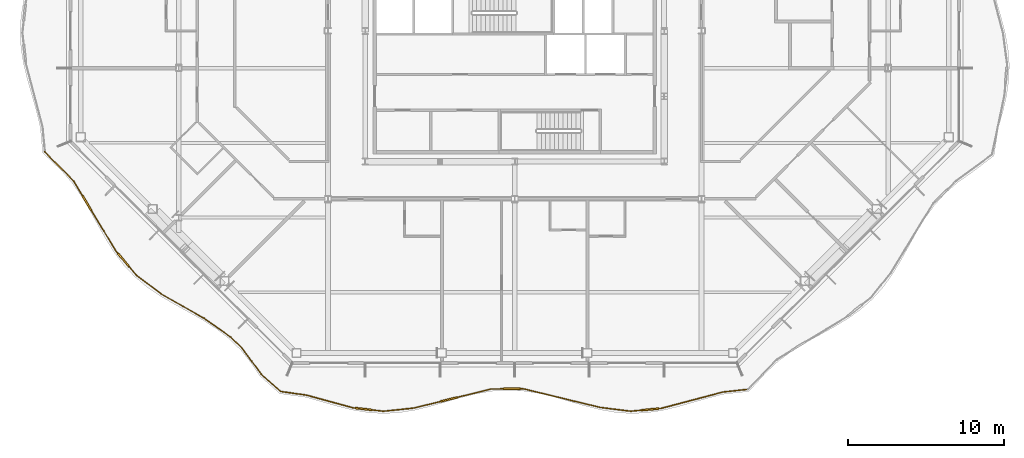
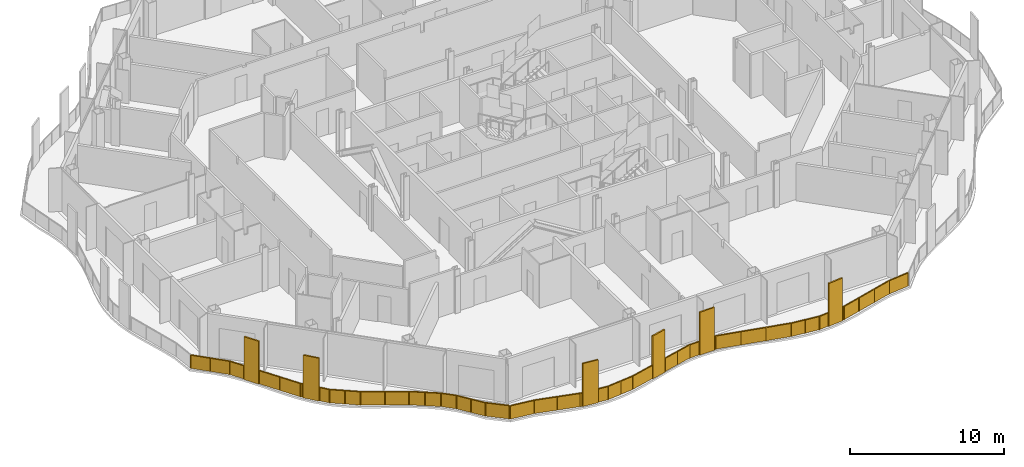
# One storey, part 15 of 21: 2 railings.
"""IFC4 building model written with IfcOpenShell, lengths in metres."""

from ifc_helpers import new_model, si_unit, direction, frame, origin, origin_2d, place, context, subcontext, project, spatial, polyline, rectangle, outline, extrude, material, type_object, element, save


model = new_model("IFC4")

# Units and contexts
model_context = context("Model", 3, precision=1e-05, world=origin(), true_north=direction((0.0, 1.0)))
body_context = subcontext(model_context, "Body", "Model", "MODEL_VIEW")
ifc_project = project(units=[si_unit("LENGTHUNIT", "METRE"), si_unit("AREAUNIT", "SQUARE_METRE"), si_unit("VOLUMEUNIT", "CUBIC_METRE"), si_unit("PLANEANGLEUNIT", "RADIAN"), si_unit("MASSUNIT", "GRAM", prefix="KILO")], contexts=[model_context])

# Site, building, storey
site_placement = place(None, origin())
site = spatial("IfcSite", under=ifc_project, at=site_placement, CompositionType="ELEMENT")
building_placement = place(site_placement, origin())
building = spatial("IfcBuilding", under=site, at=building_placement, Name="Cairn Pilgrim Tower", CompositionType="ELEMENT")
storey_placement = place(building_placement, frame((0.0, 0.0, 157.800048828125)))
storey = spatial("IfcBuildingStorey", under=building, at=storey_placement, Name="L39", CompositionType="ELEMENT", Elevation=157.800048828125)

# Railings
ifc_material = material(Name="Bronze anodised aluminium rail, posts and fin screens with laminated glass infill", Category="aluminium")
railing_type = type_object("IfcRailingType", Name="BALCONY GUARD WITH FIN SCREENS", PredefinedType="GUARDRAIL", material=ifc_material)
railing_1_placement = place(storey_placement, frame((-7.846435546875, -20.777587890625, 0.0)))
element("IfcRailing", 1, at=railing_1_placement, inside=storey, type_object=railing_type, Name="Balcony guard BGF-1 with fin screens", PredefinedType="GUARDRAIL", context=body_context, shape_type="SweptSolid", body=[
    extrude(rectangle(XDim=0.050048828125, YDim=0.050048828125, at=origin_2d()), frame((0.0, 0.0, 1.0751953125), z_axis=(0.990133932215, -0.140124217308, 0.0), x_axis=(0.140124217308, 0.990133932215, 0.0)), (0.0, 0.0, 1.0), 1.6865234375),
    extrude(rectangle(XDim=0.050048828125, YDim=0.050048828125, at=origin_2d()), frame((1.669921875, -0.236328125, 1.0751953125), z_axis=(0.964681627046, -0.263418599267, 0.0), x_axis=(0.263418599267, 0.964681627046, 0.0)), (0.0, 0.0, 1.0), 3.086181640625),
    extrude(rectangle(XDim=1.10009765625, YDim=0.110107421875, at=origin_2d()), frame((5.3427734375, -1.128173828125, 0.0), z_axis=(0.0, 0.0, 1.0), x_axis=(0.993627342822, -0.112715143601, 0.0)), (0.0, 0.0, 1.0), 3.39990234375),
    extrude(rectangle(XDim=0.050048828125, YDim=0.050048828125, at=origin_2d()), frame((4.647216796875, -1.04931640625, 1.0751953125), z_axis=(0.993627342822, -0.112715143601, 0.0), x_axis=(0.112715143601, 0.993627342822, 0.0)), (0.0, 0.0, 1.0), 0.14990234375),
    extrude(rectangle(XDim=0.050048828125, YDim=0.050048828125, at=origin_2d()), frame((5.88916015625, -1.190185546875, 1.0751953125), z_axis=(0.993627342822, -0.112715143601, 0.0), x_axis=(0.112715143601, 0.993627342822, 0.0)), (0.0, 0.0, 1.0), 0.72119140625),
    extrude(rectangle(XDim=0.050048828125, YDim=0.050048828125, at=origin_2d()), frame((6.605712890625, -1.271484375, 1.0751953125), z_axis=(0.994543405895, 0.104323601316, 0.0), x_axis=(-0.104323601316, 0.994543405895, 0.0)), (0.0, 0.0, 1.0), 1.970458984375),
    extrude(rectangle(XDim=1.10009765625, YDim=0.110107421875, at=origin_2d()), frame((10.822509765625, -0.509521484375, 0.0), z_axis=(0.0, 0.0, 1.0), x_axis=(0.970941979556, 0.239315006499, 0.0)), (0.0, 0.0, 1.0), 3.39990234375),
    extrude(rectangle(XDim=0.050048828125, YDim=0.050048828125, at=origin_2d()), frame((8.5654296875, -1.06591796875, 1.0751953125), z_axis=(0.970941979556, 0.239315006499, 0.0), x_axis=(-0.239315006499, 0.970941979556, 0.0)), (0.0, 0.0, 1.0), 1.774658203125),
    extrude(rectangle(XDim=0.050048828125, YDim=0.050048828125, at=origin_2d()), frame((11.3564453125, -0.3779296875, 1.0751953125), z_axis=(0.970941979556, 0.239315006499, 0.0), x_axis=(-0.239315006499, 0.970941979556, 0.0)), (0.0, 0.0, 1.0), 2.24658203125),
    extrude(rectangle(XDim=1.10009765625, YDim=0.110107421875, at=origin_2d()), frame((14.860107421875, 0.174072265625, 0.0), z_axis=(0.0, 0.0, 1.0), x_axis=(0.999939655436, 0.010985694633, 0.0)), (0.0, 0.0, 1.0), 3.39990234375),
    extrude(rectangle(XDim=0.050048828125, YDim=0.050048828125, at=origin_2d()), frame((13.537841796875, 0.15966796875, 1.0751953125), z_axis=(0.999939655436, 0.010985694633, 0.0), x_axis=(-0.010985694633, 0.999939655436, 0.0)), (0.0, 0.0, 1.0), 0.772216796875),
    extrude(rectangle(XDim=0.050048828125, YDim=0.050048828125, at=origin_2d()), frame((15.409912109375, 0.18017578125, 1.0751953125), z_axis=(0.999939655436, 0.010985694633, 0.0), x_axis=(-0.010985694633, 0.999939655436, 0.0)), (0.0, 0.0, 1.0), 0.150146484375),
    extrude(rectangle(XDim=0.050048828125, YDim=0.050048828125, at=origin_2d()), frame((15.56005859375, 0.181884765625, 1.0751953125), z_axis=(0.971802111938, -0.235797911851, 0.0), x_axis=(0.235797911851, 0.971802111938, 0.0)), (0.0, 0.0, 1.0), 5.119873046875),
    extrude(rectangle(XDim=0.050048828125, YDim=0.050048828125, at=origin_2d()), frame((20.53564453125, -1.025390625, 1.0751953125), z_axis=(0.992296866944, -0.123882718141, 0.0), x_axis=(0.123882718141, 0.992296866944, 0.0)), (0.0, 0.0, 1.0), 1.9765625),
    extrude(rectangle(XDim=1.10009765625, YDim=0.110107421875, at=origin_2d()), frame((23.757568359375, -1.15283203125, 0.0), z_axis=(0.0, 0.0, 1.0), x_axis=(0.995688155387, 0.092763663267, 0.0)), (0.0, 0.0, 1.0), 3.39990234375),
    extrude(rectangle(XDim=0.050048828125, YDim=0.050048828125, at=origin_2d()), frame((22.4970703125, -1.270263671875, 1.0751953125), z_axis=(0.995688155387, 0.092763663267, 0.0), x_axis=(-0.092763663267, 0.995688155387, 0.0)), (0.0, 0.0, 1.0), 0.7158203125),
    extrude(rectangle(XDim=0.050048828125, YDim=0.050048828125, at=origin_2d()), frame((24.30517578125, -1.101806640625, 1.0751953125), z_axis=(0.995688155387, 0.092763663267, 0.0), x_axis=(-0.092763663267, 0.995688155387, 0.0)), (0.0, 0.0, 1.0), 0.150146484375),
    extrude(rectangle(XDim=0.050048828125, YDim=0.050048828125, at=origin_2d()), frame((24.45458984375, -1.087890625, 1.0751953125), z_axis=(0.96665678413, 0.256075499989, 0.0), x_axis=(-0.256075499989, 0.96665678413, 0.0)), (0.0, 0.0, 1.0), 4.108154296875),
    extrude(rectangle(XDim=0.050048828125, YDim=0.050048828125, at=origin_2d()), frame((28.42578125, -0.035888671875, 1.0751953125), z_axis=(0.994116936595, 0.108312124783, 0.0), x_axis=(-0.108312124783, 0.994116936595, 0.0)), (0.0, 0.0, 1.0), 1.55517578125),
    extrude(rectangle(XDim=0.050048828125, YDim=0.050048828125, at=origin_2d()), origin(), (0.0, 0.0, 1.0), 1.050048828125),
    extrude(rectangle(XDim=0.050048828125, YDim=0.050048828125, at=origin_2d()), frame((1.669921875, -0.236328125, 0.0)), (0.0, 0.0, 1.0), 1.050048828125),
    extrude(rectangle(XDim=0.050048828125, YDim=0.050048828125, at=origin_2d()), frame((3.15869140625, -0.642822265625, 0.0)), (0.0, 0.0, 1.0), 1.050048828125),
    extrude(rectangle(XDim=0.050048828125, YDim=0.050048828125, at=origin_2d()), frame((4.647216796875, -1.04931640625, 0.0)), (0.0, 0.0, 1.0), 1.050048828125),
    extrude(rectangle(XDim=0.050048828125, YDim=0.050048828125, at=origin_2d()), frame((4.771240234375, -1.0634765625, 0.0)), (0.0, 0.0, 1.0), 1.050048828125),
    extrude(rectangle(XDim=0.050048828125, YDim=0.050048828125, at=origin_2d()), frame((5.9140625, -1.193115234375, 0.0)), (0.0, 0.0, 1.0), 1.050048828125),
    extrude(rectangle(XDim=0.050048828125, YDim=0.050048828125, at=origin_2d()), frame((6.605712890625, -1.271484375, 0.0)), (0.0, 0.0, 1.0), 1.050048828125),
    extrude(rectangle(XDim=0.050048828125, YDim=0.050048828125, at=origin_2d()), frame((7.58544921875, -1.168701171875, 0.0)), (0.0, 0.0, 1.0), 1.050048828125),
    extrude(rectangle(XDim=0.050048828125, YDim=0.050048828125, at=origin_2d()), frame((8.5654296875, -1.06591796875, 0.0)), (0.0, 0.0, 1.0), 1.050048828125),
    extrude(rectangle(XDim=0.050048828125, YDim=0.050048828125, at=origin_2d()), frame((10.26416015625, -0.647216796875, 0.0)), (0.0, 0.0, 1.0), 1.050048828125),
    extrude(rectangle(XDim=0.050048828125, YDim=0.050048828125, at=origin_2d()), frame((11.380859375, -0.3720703125, 0.0)), (0.0, 0.0, 1.0), 1.050048828125),
    extrude(rectangle(XDim=0.050048828125, YDim=0.050048828125, at=origin_2d()), frame((12.459228515625, -0.106201171875, 0.0)), (0.0, 0.0, 1.0), 1.050048828125),
    extrude(rectangle(XDim=0.050048828125, YDim=0.050048828125, at=origin_2d()), frame((13.537841796875, 0.15966796875, 0.0)), (0.0, 0.0, 1.0), 1.050048828125),
    extrude(rectangle(XDim=0.050048828125, YDim=0.050048828125, at=origin_2d()), frame((14.28515625, 0.16796875, 0.0)), (0.0, 0.0, 1.0), 1.050048828125),
    extrude(rectangle(XDim=0.050048828125, YDim=0.050048828125, at=origin_2d()), frame((15.43505859375, 0.180419921875, 0.0)), (0.0, 0.0, 1.0), 1.050048828125),
    extrude(rectangle(XDim=0.050048828125, YDim=0.050048828125, at=origin_2d()), frame((15.56005859375, 0.181884765625, 0.0)), (0.0, 0.0, 1.0), 1.050048828125),
    extrude(rectangle(XDim=0.050048828125, YDim=0.050048828125, at=origin_2d()), frame((17.218505859375, -0.220458984375, 0.0)), (0.0, 0.0, 1.0), 1.050048828125),
    extrude(rectangle(XDim=0.050048828125, YDim=0.050048828125, at=origin_2d()), frame((18.877197265625, -0.623046875, 0.0)), (0.0, 0.0, 1.0), 1.050048828125),
    extrude(rectangle(XDim=0.050048828125, YDim=0.050048828125, at=origin_2d()), frame((20.53564453125, -1.025390625, 0.0)), (0.0, 0.0, 1.0), 1.050048828125),
    extrude(rectangle(XDim=0.050048828125, YDim=0.050048828125, at=origin_2d()), frame((21.516357421875, -1.14794921875, 0.0)), (0.0, 0.0, 1.0), 1.050048828125),
    extrude(rectangle(XDim=0.050048828125, YDim=0.050048828125, at=origin_2d()), frame((22.4970703125, -1.270263671875, 0.0)), (0.0, 0.0, 1.0), 1.050048828125),
    extrude(rectangle(XDim=0.050048828125, YDim=0.050048828125, at=origin_2d()), frame((23.18505859375, -1.2060546875, 0.0)), (0.0, 0.0, 1.0), 1.050048828125),
    extrude(rectangle(XDim=0.050048828125, YDim=0.050048828125, at=origin_2d()), frame((24.330078125, -1.099609375, 0.0)), (0.0, 0.0, 1.0), 1.050048828125),
    extrude(rectangle(XDim=0.050048828125, YDim=0.050048828125, at=origin_2d()), frame((24.45458984375, -1.087890625, 0.0)), (0.0, 0.0, 1.0), 1.050048828125),
    extrude(rectangle(XDim=0.050048828125, YDim=0.050048828125, at=origin_2d()), frame((25.7783203125, -0.7373046875, 0.0)), (0.0, 0.0, 1.0), 1.050048828125),
    extrude(rectangle(XDim=0.050048828125, YDim=0.050048828125, at=origin_2d()), frame((27.10205078125, -0.386474609375, 0.0)), (0.0, 0.0, 1.0), 1.050048828125),
    extrude(rectangle(XDim=0.050048828125, YDim=0.050048828125, at=origin_2d()), frame((28.42578125, -0.035888671875, 0.0)), (0.0, 0.0, 1.0), 1.050048828125),
    extrude(rectangle(XDim=0.050048828125, YDim=0.050048828125, at=origin_2d()), frame((29.971923828125, 0.132568359375, 0.0)), (0.0, 0.0, 1.0), 1.050048828125),
    extrude(outline(polyline([(0.02490234375, 0.0), (1.66162109375, 0.0), (1.66162109375, 1.050048828125), (0.02490234375, 1.050048828125), (0.02490234375, 0.0)])), frame((0.000732421875, 0.005859375, 0.0), z_axis=(-0.140124217308, -0.990133932215, 0.0), x_axis=(0.990133932215, -0.140124217308, 0.0)), (0.0, 0.0, 1.0), 0.011962890625),
    extrude(outline(polyline([(0.02490234375, 0.0), (1.51806640625, 0.0), (1.51806640625, 1.050048828125), (0.02490234375, 1.050048828125), (0.02490234375, 0.0)])), frame((1.67138671875, -0.23046875, 0.0), z_axis=(-0.263418599267, -0.964681627046, 0.0), x_axis=(0.964681627046, -0.263418599267, 0.0)), (0.0, 0.0, 1.0), 0.011962890625),
    extrude(outline(polyline([(0.02490234375, 0.0), (1.51806640625, 0.0), (1.51806640625, 1.050048828125), (0.02490234375, 1.050048828125), (0.02490234375, 0.0)])), frame((3.16015625, -0.636962890625, 0.0), z_axis=(-0.263418599267, -0.964681627046, 0.0), x_axis=(0.964681627046, -0.263418599267, 0.0)), (0.0, 0.0, 1.0), 0.011962890625),
    extrude(outline(polyline([(0.02490234375, 0.0), (0.099853515625, 0.0), (0.099853515625, 1.050048828125), (0.02490234375, 1.050048828125), (0.02490234375, 0.0)])), frame((4.64794921875, -1.04345703125, 0.0), z_axis=(-0.112715143601, -0.993627342822, 0.0), x_axis=(0.993627342822, -0.112715143601, 0.0)), (0.0, 0.0, 1.0), 0.011962890625),
    extrude(outline(polyline([(0.02490234375, 0.0), (0.671142578125, 0.0), (0.671142578125, 1.050048828125), (0.02490234375, 1.050048828125), (0.02490234375, 0.0)])), frame((5.914794921875, -1.18701171875, 0.0), z_axis=(-0.112715143601, -0.993627342822, 0.0), x_axis=(0.993627342822, -0.112715143601, 0.0)), (0.0, 0.0, 1.0), 0.011962890625),
    extrude(outline(polyline([(0.02490234375, 0.0), (0.960205078125, 0.0), (0.960205078125, 1.050048828125), (0.02490234375, 1.050048828125), (0.02490234375, 0.0)])), frame((6.60498046875, -1.265625, 0.0), z_axis=(0.104323601316, -0.994543405895, 0.0), x_axis=(0.994543405895, 0.104323601316, 0.0)), (0.0, 0.0, 1.0), 0.011962890625),
    extrude(outline(polyline([(0.02490234375, 0.0), (0.960205078125, 0.0), (0.960205078125, 1.050048828125), (0.02490234375, 1.050048828125), (0.02490234375, 0.0)])), frame((7.5849609375, -1.162841796875, 0.0), z_axis=(0.104323601316, -0.994543405895, 0.0), x_axis=(0.994543405895, 0.104323601316, 0.0)), (0.0, 0.0, 1.0), 0.011962890625),
    extrude(outline(polyline([(0.02490234375, 0.0), (1.724609375, 0.0), (1.724609375, 1.050048828125), (0.02490234375, 1.050048828125), (0.02490234375, 0.0)])), frame((8.56396484375, -1.06005859375, 0.0), z_axis=(0.239315006499, -0.970941979556, 0.0), x_axis=(0.970941979556, 0.239315006499, 0.0)), (0.0, 0.0, 1.0), 0.011962890625),
    extrude(outline(polyline([(0.02490234375, 0.0), (1.085693359375, 0.0), (1.085693359375, 1.050048828125), (0.02490234375, 1.050048828125), (0.02490234375, 0.0)])), frame((11.37939453125, -0.3662109375, 0.0), z_axis=(0.239315006499, -0.970941979556, 0.0), x_axis=(0.970941979556, 0.239315006499, 0.0)), (0.0, 0.0, 1.0), 0.011962890625),
    extrude(outline(polyline([(0.02490234375, 0.0), (1.085693359375, 0.0), (1.085693359375, 1.050048828125), (0.02490234375, 1.050048828125), (0.02490234375, 0.0)])), frame((12.4580078125, -0.100341796875, 0.0), z_axis=(0.239315006499, -0.970941979556, 0.0), x_axis=(0.970941979556, 0.239315006499, 0.0)), (0.0, 0.0, 1.0), 0.011962890625),
    extrude(outline(polyline([(0.02490234375, 0.0), (0.72216796875, 0.0), (0.72216796875, 1.050048828125), (0.02490234375, 1.050048828125), (0.02490234375, 0.0)])), frame((13.537841796875, 0.16552734375, 0.0), z_axis=(0.010985694633, -0.999939655436, 0.0), x_axis=(0.999939655436, 0.010985694633, 0.0)), (0.0, 0.0, 1.0), 0.011962890625),
    extrude(outline(polyline([(0.02490234375, 0.0), (0.10009765625, 0.0), (0.10009765625, 1.050048828125), (0.02490234375, 1.050048828125), (0.02490234375, 0.0)])), frame((15.43505859375, 0.1865234375, 0.0), z_axis=(0.010985694633, -0.999939655436, 0.0), x_axis=(0.999939655436, 0.010985694633, 0.0)), (0.0, 0.0, 1.0), 0.011962890625),
    extrude(outline(polyline([(0.02490234375, 0.0), (1.681640625, 0.0), (1.681640625, 1.050048828125), (0.02490234375, 1.050048828125), (0.02490234375, 0.0)])), frame((15.5615234375, 0.187744140625, 0.0), z_axis=(-0.235797911851, -0.971802111938, 0.0), x_axis=(0.971802111938, -0.235797911851, 0.0)), (0.0, 0.0, 1.0), 0.011962890625),
    extrude(outline(polyline([(0.02490234375, 0.0), (1.681640625, 0.0), (1.681640625, 1.050048828125), (0.02490234375, 1.050048828125), (0.02490234375, 0.0)])), frame((17.219970703125, -0.21484375, 0.0), z_axis=(-0.235797911851, -0.971802111938, 0.0), x_axis=(0.971802111938, -0.235797911851, 0.0)), (0.0, 0.0, 1.0), 0.011962890625),
    extrude(outline(polyline([(0.02490234375, 0.0), (1.681640625, 0.0), (1.681640625, 1.050048828125), (0.02490234375, 1.050048828125), (0.02490234375, 0.0)])), frame((18.87841796875, -0.6171875, 0.0), z_axis=(-0.235797911851, -0.971802111938, 0.0), x_axis=(0.971802111938, -0.235797911851, 0.0)), (0.0, 0.0, 1.0), 0.011962890625),
    extrude(outline(polyline([(0.02490234375, 0.0), (0.96337890625, 0.0), (0.96337890625, 1.050048828125), (0.02490234375, 1.050048828125), (0.02490234375, 0.0)])), frame((20.536376953125, -1.01953125, 0.0), z_axis=(-0.123882718141, -0.992296866944, 0.0), x_axis=(0.992296866944, -0.123882718141, 0.0)), (0.0, 0.0, 1.0), 0.011962890625),
    extrude(outline(polyline([(0.02490234375, 0.0), (0.96337890625, 0.0), (0.96337890625, 1.050048828125), (0.02490234375, 1.050048828125), (0.02490234375, 0.0)])), frame((21.51708984375, -1.141845703125, 0.0), z_axis=(-0.123882718141, -0.992296866944, 0.0), x_axis=(0.992296866944, -0.123882718141, 0.0)), (0.0, 0.0, 1.0), 0.011962890625),
    extrude(outline(polyline([(0.02490234375, 0.0), (0.665771484375, 0.0), (0.665771484375, 1.050048828125), (0.02490234375, 1.050048828125), (0.02490234375, 0.0)])), frame((22.49658203125, -1.264404296875, 0.0), z_axis=(0.092763663267, -0.995688155387, 0.0), x_axis=(0.995688155387, 0.092763663267, 0.0)), (0.0, 0.0, 1.0), 0.011962890625),
    extrude(outline(polyline([(0.02490234375, 0.0), (0.10009765625, 0.0), (0.10009765625, 1.050048828125), (0.02490234375, 1.050048828125), (0.02490234375, 0.0)])), frame((24.32958984375, -1.093505859375, 0.0), z_axis=(0.092763663267, -0.995688155387, 0.0), x_axis=(0.995688155387, 0.092763663267, 0.0)), (0.0, 0.0, 1.0), 0.011962890625),
    extrude(outline(polyline([(0.02490234375, 0.0), (1.344482421875, 0.0), (1.344482421875, 1.050048828125), (0.02490234375, 1.050048828125), (0.02490234375, 0.0)])), frame((24.453125, -1.08203125, 0.0), z_axis=(0.256075499989, -0.96665678413, 0.0), x_axis=(0.96665678413, 0.256075499989, 0.0)), (0.0, 0.0, 1.0), 0.011962890625),
    extrude(outline(polyline([(0.02490234375, 0.0), (1.344482421875, 0.0), (1.344482421875, 1.050048828125), (0.02490234375, 1.050048828125), (0.02490234375, 0.0)])), frame((25.77685546875, -0.7314453125, 0.0), z_axis=(0.256075499989, -0.96665678413, 0.0), x_axis=(0.96665678413, 0.256075499989, 0.0)), (0.0, 0.0, 1.0), 0.011962890625),
    extrude(outline(polyline([(0.02490234375, 0.0), (1.344482421875, 0.0), (1.344482421875, 1.050048828125), (0.02490234375, 1.050048828125), (0.02490234375, 0.0)])), frame((27.1005859375, -0.380859375, 0.0), z_axis=(0.256075499989, -0.96665678413, 0.0), x_axis=(0.96665678413, 0.256075499989, 0.0)), (0.0, 0.0, 1.0), 0.011962890625),
    extrude(outline(polyline([(0.02490234375, 0.0), (1.5302734375, 0.0), (1.5302734375, 1.050048828125), (0.02490234375, 1.050048828125), (0.02490234375, 0.0)])), frame((28.425048828125, -0.030029296875, 0.0), z_axis=(0.108312124783, -0.994116936595, 0.0), x_axis=(0.994116936595, 0.108312124783, 0.0)), (0.0, 0.0, 1.0), 0.011962890625),
])
railing_2_placement = place(storey_placement, frame((-23.002685546875, -5.373779296875, 0.0)))
element("IfcRailing", 2, at=railing_2_placement, inside=storey, type_object=railing_type, Name="Balcony guard BGF-8 with fin screens", PredefinedType="GUARDRAIL", context=body_context, shape_type="SweptSolid", body=[
    extrude(rectangle(XDim=0.050048828125, YDim=0.050048828125, at=origin_2d()), frame((0.0, 0.0, 1.0751953125), z_axis=(0.700281137427, -0.713867164509, 0.0), x_axis=(0.713867164509, 0.700281137427, 0.0)), (0.0, 0.0, 1.0), 2.6416015625),
    extrude(rectangle(XDim=1.10009765625, YDim=0.110107421875, at=origin_2d()), frame((2.688720703125, -3.271728515625, 0.0), z_axis=(0.0, 0.0, 1.0), x_axis=(0.51782328521, -0.855487606745, 0.0)), (0.0, 0.0, 1.0), 3.39990234375),
    extrude(rectangle(XDim=0.050048828125, YDim=0.050048828125, at=origin_2d()), frame((1.849853515625, -1.8857421875, 1.0751953125), z_axis=(0.51782328521, -0.855487606745, 0.0), x_axis=(0.855487606745, 0.51782328521, 0.0)), (0.0, 0.0, 1.0), 1.0703125),
    extrude(rectangle(XDim=0.050048828125, YDim=0.050048828125, at=origin_2d()), frame((2.9736328125, -3.742431640625, 1.0751953125), z_axis=(0.51782328521, -0.855487606745, 0.0), x_axis=(0.855487606745, 0.51782328521, 0.0)), (0.0, 0.0, 1.0), 3.078125),
    extrude(rectangle(XDim=1.10009765625, YDim=0.110107421875, at=origin_2d()), frame((5.061279296875, -6.960205078125, 0.0), z_axis=(0.0, 0.0, 1.0), x_axis=(0.645246821236, -0.76397417475, 0.0)), (0.0, 0.0, 1.0), 3.39990234375),
    extrude(rectangle(XDim=0.050048828125, YDim=0.050048828125, at=origin_2d()), frame((4.567626953125, -6.375732421875, 1.0751953125), z_axis=(0.645246821236, -0.76397417475, 0.0), x_axis=(0.76397417475, 0.645246821236, 0.0)), (0.0, 0.0, 1.0), 0.215087890625),
    extrude(rectangle(XDim=0.050048828125, YDim=0.050048828125, at=origin_2d()), frame((5.416259765625, -7.38037109375, 1.0751953125), z_axis=(0.645246821236, -0.76397417475, 0.0), x_axis=(0.76397417475, 0.645246821236, 0.0)), (0.0, 0.0, 1.0), 0.699951171875),
    extrude(rectangle(XDim=0.050048828125, YDim=0.050048828125, at=origin_2d()), frame((5.867919921875, -7.915283203125, 1.0751953125), z_axis=(0.796986840183, -0.603996669341, 0.0), x_axis=(0.603996669341, 0.796986840183, 0.0)), (0.0, 0.0, 1.0), 2.029052734375),
    extrude(rectangle(XDim=0.050048828125, YDim=0.050048828125, at=origin_2d()), frame((7.485107421875, -9.140869140625, 1.0751953125), z_axis=(0.869983604749, -0.493080650064, 0.0), x_axis=(0.493080650064, 0.869983604749, 0.0)), (0.0, 0.0, 1.0), 3.1669921875),
    extrude(rectangle(XDim=0.050048828125, YDim=0.050048828125, at=origin_2d()), frame((10.240234375, -10.702392578125, 1.0751953125), z_axis=(0.816461407431, -0.577400008811, 0.0), x_axis=(0.577400008811, 0.816461407431, 0.0)), (0.0, 0.0, 1.0), 2.08544921875),
    extrude(rectangle(XDim=0.050048828125, YDim=0.050048828125, at=origin_2d()), frame((11.94287109375, -11.906494140625, 1.0751953125), z_axis=(0.715602073765, -0.69850817606, 0.0), x_axis=(0.69850817606, 0.715602073765, 0.0)), (0.0, 0.0, 1.0), 1.042724609375),
    extrude(rectangle(XDim=0.050048828125, YDim=0.050048828125, at=origin_2d()), frame((12.68896484375, -12.634765625, 1.0751953125), z_axis=(0.592814219925, -0.805339245694, 0.0), x_axis=(0.805339245694, 0.592814219925, 0.0)), (0.0, 0.0, 1.0), 2.056396484375),
    extrude(rectangle(XDim=0.050048828125, YDim=0.050048828125, at=origin_2d()), frame((13.907958984375, -14.290771484375, 1.0751953125), z_axis=(0.746447871373, -0.665443893445, 0.0), x_axis=(0.665443893445, 0.746447871373, 0.0)), (0.0, 0.0, 1.0), 1.612548828125),
    extrude(rectangle(XDim=0.050048828125, YDim=0.050048828125, at=origin_2d()), origin(), (0.0, 0.0, 1.0), 1.050048828125),
    extrude(rectangle(XDim=0.050048828125, YDim=0.050048828125, at=origin_2d()), frame((0.9248046875, -0.94287109375, 0.0)), (0.0, 0.0, 1.0), 1.050048828125),
    extrude(rectangle(XDim=0.050048828125, YDim=0.050048828125, at=origin_2d()), frame((1.849853515625, -1.8857421875, 0.0)), (0.0, 0.0, 1.0), 1.050048828125),
    extrude(rectangle(XDim=0.050048828125, YDim=0.050048828125, at=origin_2d()), frame((2.39111328125, -2.77978515625, 0.0)), (0.0, 0.0, 1.0), 1.050048828125),
    extrude(rectangle(XDim=0.050048828125, YDim=0.050048828125, at=origin_2d()), frame((2.986572265625, -3.763671875, 0.0)), (0.0, 0.0, 1.0), 1.050048828125),
    extrude(rectangle(XDim=0.050048828125, YDim=0.050048828125, at=origin_2d()), frame((3.777099609375, -5.06982421875, 0.0)), (0.0, 0.0, 1.0), 1.050048828125),
    extrude(rectangle(XDim=0.050048828125, YDim=0.050048828125, at=origin_2d()), frame((4.567626953125, -6.375732421875, 0.0)), (0.0, 0.0, 1.0), 1.050048828125),
    extrude(rectangle(XDim=0.050048828125, YDim=0.050048828125, at=origin_2d()), frame((4.6904296875, -6.52099609375, 0.0)), (0.0, 0.0, 1.0), 1.050048828125),
    extrude(rectangle(XDim=0.050048828125, YDim=0.050048828125, at=origin_2d()), frame((5.432373046875, -7.399658203125, 0.0)), (0.0, 0.0, 1.0), 1.050048828125),
    extrude(rectangle(XDim=0.050048828125, YDim=0.050048828125, at=origin_2d()), frame((5.867919921875, -7.915283203125, 0.0)), (0.0, 0.0, 1.0), 1.050048828125),
    extrude(rectangle(XDim=0.050048828125, YDim=0.050048828125, at=origin_2d()), frame((6.676513671875, -8.528076171875, 0.0)), (0.0, 0.0, 1.0), 1.050048828125),
    extrude(rectangle(XDim=0.050048828125, YDim=0.050048828125, at=origin_2d()), frame((7.485107421875, -9.140869140625, 0.0)), (0.0, 0.0, 1.0), 1.050048828125),
    extrude(rectangle(XDim=0.050048828125, YDim=0.050048828125, at=origin_2d()), frame((8.86279296875, -9.921630859375, 0.0)), (0.0, 0.0, 1.0), 1.050048828125),
    extrude(rectangle(XDim=0.050048828125, YDim=0.050048828125, at=origin_2d()), frame((10.240234375, -10.702392578125, 0.0)), (0.0, 0.0, 1.0), 1.050048828125),
    extrude(rectangle(XDim=0.050048828125, YDim=0.050048828125, at=origin_2d()), frame((11.091552734375, -11.304443359375, 0.0)), (0.0, 0.0, 1.0), 1.050048828125),
    extrude(rectangle(XDim=0.050048828125, YDim=0.050048828125, at=origin_2d()), frame((11.94287109375, -11.906494140625, 0.0)), (0.0, 0.0, 1.0), 1.050048828125),
    extrude(rectangle(XDim=0.050048828125, YDim=0.050048828125, at=origin_2d()), frame((12.68896484375, -12.634765625, 0.0)), (0.0, 0.0, 1.0), 1.050048828125),
    extrude(rectangle(XDim=0.050048828125, YDim=0.050048828125, at=origin_2d()), frame((13.29833984375, -13.462890625, 0.0)), (0.0, 0.0, 1.0), 1.050048828125),
    extrude(rectangle(XDim=0.050048828125, YDim=0.050048828125, at=origin_2d()), frame((13.907958984375, -14.290771484375, 0.0)), (0.0, 0.0, 1.0), 1.050048828125),
    extrude(rectangle(XDim=0.050048828125, YDim=0.050048828125, at=origin_2d()), frame((15.111572265625, -15.36376953125, 0.0)), (0.0, 0.0, 1.0), 1.050048828125),
    extrude(outline(polyline([(0.02490234375, 0.0), (1.295654296875, 0.0), (1.295654296875, 1.050048828125), (0.02490234375, 1.050048828125), (0.02490234375, 0.0)])), frame((0.004150390625, 0.004150390625, 0.0), z_axis=(-0.713867164509, -0.700281137427, 0.0), x_axis=(0.700281137427, -0.713867164509, 0.0)), (0.0, 0.0, 1.0), 0.011962890625),
    extrude(outline(polyline([(0.02490234375, 0.0), (1.295654296875, 0.0), (1.295654296875, 1.050048828125), (0.02490234375, 1.050048828125), (0.02490234375, 0.0)])), frame((0.92919921875, -0.938720703125, 0.0), z_axis=(-0.713867164509, -0.700281137427, 0.0), x_axis=(0.700281137427, -0.713867164509, 0.0)), (0.0, 0.0, 1.0), 0.011962890625),
    extrude(outline(polyline([(0.02490234375, 0.0), (1.020263671875, 0.0), (1.020263671875, 1.050048828125), (0.02490234375, 1.050048828125), (0.02490234375, 0.0)])), frame((1.85498046875, -1.882568359375, 0.0), z_axis=(-0.855487606745, -0.51782328521, 0.0), x_axis=(0.51782328521, -0.855487606745, 0.0)), (0.0, 0.0, 1.0), 0.011962890625),
    extrude(outline(polyline([(0.02490234375, 0.0), (1.50146484375, 0.0), (1.50146484375, 1.050048828125), (0.02490234375, 1.050048828125), (0.02490234375, 0.0)])), frame((2.99169921875, -3.7607421875, 0.0), z_axis=(-0.855487606745, -0.51782328521, 0.0), x_axis=(0.51782328521, -0.855487606745, 0.0)), (0.0, 0.0, 1.0), 0.011962890625),
    extrude(outline(polyline([(0.02490234375, 0.0), (1.50146484375, 0.0), (1.50146484375, 1.050048828125), (0.02490234375, 1.050048828125), (0.02490234375, 0.0)])), frame((3.7822265625, -5.066650390625, 0.0), z_axis=(-0.855487606745, -0.51782328521, 0.0), x_axis=(0.51782328521, -0.855487606745, 0.0)), (0.0, 0.0, 1.0), 0.011962890625),
    extrude(outline(polyline([(0.02490234375, 0.0), (0.1650390625, 0.0), (0.1650390625, 1.050048828125), (0.02490234375, 1.050048828125), (0.02490234375, 0.0)])), frame((4.572265625, -6.371826171875, 0.0), z_axis=(-0.76397417475, -0.645246821236, 0.0), x_axis=(0.645246821236, -0.76397417475, 0.0)), (0.0, 0.0, 1.0), 0.011962890625),
    extrude(outline(polyline([(0.02490234375, 0.0), (0.64990234375, 0.0), (0.64990234375, 1.050048828125), (0.02490234375, 1.050048828125), (0.02490234375, 0.0)])), frame((5.43701171875, -7.395751953125, 0.0), z_axis=(-0.76397417475, -0.645246821236, 0.0), x_axis=(0.645246821236, -0.76397417475, 0.0)), (0.0, 0.0, 1.0), 0.011962890625),
    extrude(outline(polyline([(0.02490234375, 0.0), (0.989501953125, 0.0), (0.989501953125, 1.050048828125), (0.02490234375, 1.050048828125), (0.02490234375, 0.0)])), frame((5.87158203125, -7.910400390625, 0.0), z_axis=(-0.603996669341, -0.796986840183, 0.0), x_axis=(0.796986840183, -0.603996669341, 0.0)), (0.0, 0.0, 1.0), 0.011962890625),
    extrude(outline(polyline([(0.02490234375, 0.0), (0.989501953125, 0.0), (0.989501953125, 1.050048828125), (0.02490234375, 1.050048828125), (0.02490234375, 0.0)])), frame((6.68017578125, -8.523193359375, 0.0), z_axis=(-0.603996669341, -0.796986840183, 0.0), x_axis=(0.796986840183, -0.603996669341, 0.0)), (0.0, 0.0, 1.0), 0.011962890625),
    extrude(outline(polyline([(0.02490234375, 0.0), (1.558349609375, 0.0), (1.558349609375, 1.050048828125), (0.02490234375, 1.050048828125), (0.02490234375, 0.0)])), frame((7.488037109375, -9.1357421875, 0.0), z_axis=(-0.493080650064, -0.869983604749, 0.0), x_axis=(0.869983604749, -0.493080650064, 0.0)), (0.0, 0.0, 1.0), 0.011962890625),
    extrude(outline(polyline([(0.02490234375, 0.0), (1.558349609375, 0.0), (1.558349609375, 1.050048828125), (0.02490234375, 1.050048828125), (0.02490234375, 0.0)])), frame((8.86572265625, -9.91650390625, 0.0), z_axis=(-0.493080650064, -0.869983604749, 0.0), x_axis=(0.869983604749, -0.493080650064, 0.0)), (0.0, 0.0, 1.0), 0.011962890625),
    extrude(outline(polyline([(0.02490234375, 0.0), (1.017578125, 0.0), (1.017578125, 1.050048828125), (0.02490234375, 1.050048828125), (0.02490234375, 0.0)])), frame((10.24365234375, -10.697509765625, 0.0), z_axis=(-0.577400008811, -0.816461407431, 0.0), x_axis=(0.816461407431, -0.577400008811, 0.0)), (0.0, 0.0, 1.0), 0.011962890625),
    extrude(outline(polyline([(0.02490234375, 0.0), (1.017578125, 0.0), (1.017578125, 1.050048828125), (0.02490234375, 1.050048828125), (0.02490234375, 0.0)])), frame((11.094970703125, -11.299560546875, 0.0), z_axis=(-0.577400008811, -0.816461407431, 0.0), x_axis=(0.816461407431, -0.577400008811, 0.0)), (0.0, 0.0, 1.0), 0.011962890625),
    extrude(outline(polyline([(0.02490234375, 0.0), (1.017578125, 0.0), (1.017578125, 1.050048828125), (0.02490234375, 1.050048828125), (0.02490234375, 0.0)])), frame((11.947021484375, -11.902099609375, 0.0), z_axis=(-0.69850817606, -0.715602073765, 0.0), x_axis=(0.715602073765, -0.69850817606, 0.0)), (0.0, 0.0, 1.0), 0.011962890625),
    extrude(outline(polyline([(0.02490234375, 0.0), (1.003173828125, 0.0), (1.003173828125, 1.050048828125), (0.02490234375, 1.050048828125), (0.02490234375, 0.0)])), frame((12.69384765625, -12.631103515625, 0.0), z_axis=(-0.805339245694, -0.592814219925, 0.0), x_axis=(0.592814219925, -0.805339245694, 0.0)), (0.0, 0.0, 1.0), 0.011962890625),
    extrude(outline(polyline([(0.02490234375, 0.0), (1.003173828125, 0.0), (1.003173828125, 1.050048828125), (0.02490234375, 1.050048828125), (0.02490234375, 0.0)])), frame((13.30322265625, -13.459228515625, 0.0), z_axis=(-0.805339245694, -0.592814219925, 0.0), x_axis=(0.592814219925, -0.805339245694, 0.0)), (0.0, 0.0, 1.0), 0.011962890625),
    extrude(outline(polyline([(0.02490234375, 0.0), (1.58740234375, 0.0), (1.58740234375, 1.050048828125), (0.02490234375, 1.050048828125), (0.02490234375, 0.0)])), frame((13.911865234375, -14.286376953125, 0.0), z_axis=(-0.665443893445, -0.746447871373, 0.0), x_axis=(0.746447871373, -0.665443893445, 0.0)), (0.0, 0.0, 1.0), 0.011962890625),
])

save(model, "model.ifc")
